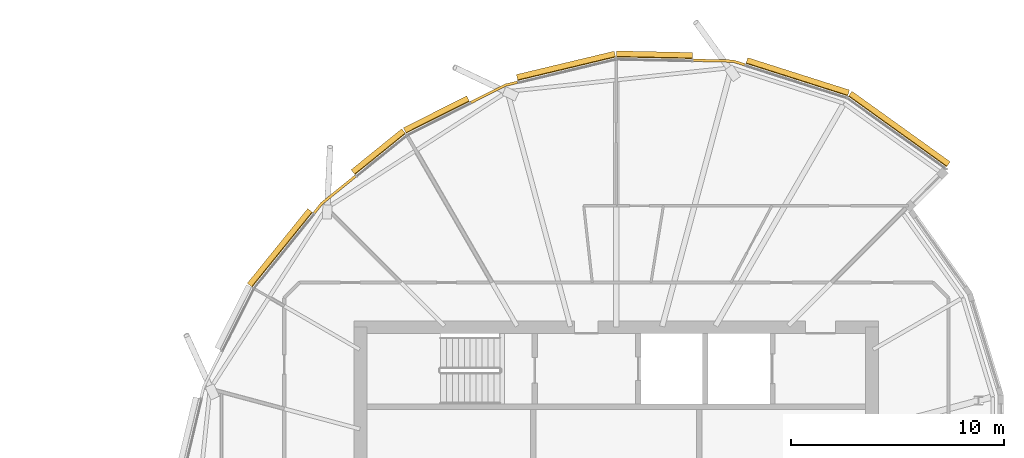
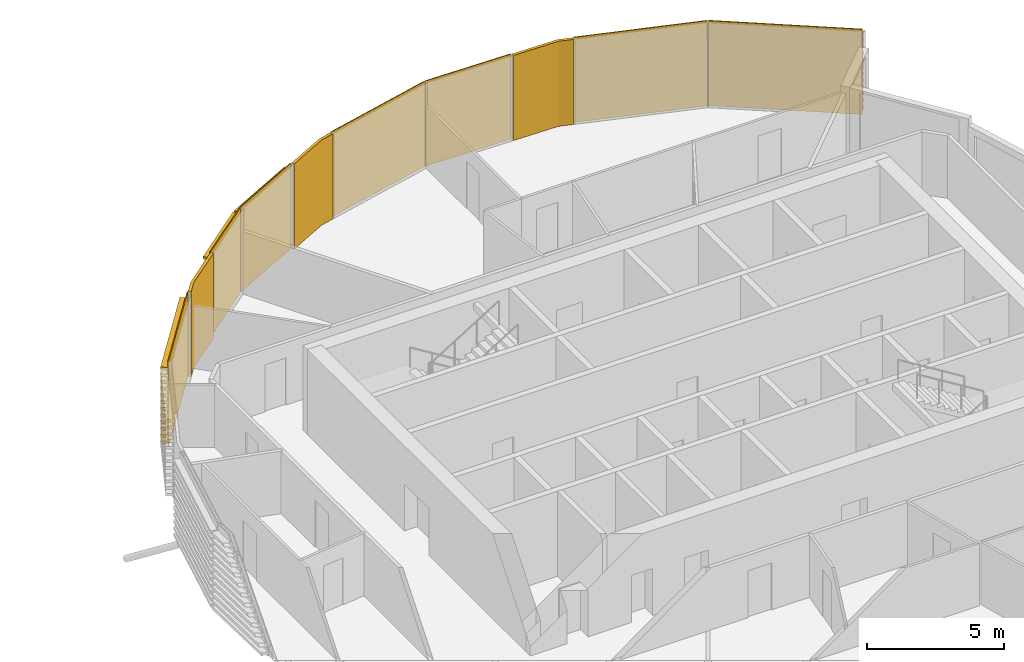
# One storey, part 36 of 36: 10 coverings.
"""IFC4 building model written with IfcOpenShell, lengths in metres."""

from ifc_helpers import new_model, si_unit, direction, frame, origin, place, context, subcontext, project, spatial, polyline, outline, extrude, material, layer, layer_set, material_profile, profile_set, type_object, element, save


model = new_model("IFC4")

# Units and contexts
model_context = context("Model", 3, precision=1e-05, world=origin(), true_north=direction((0.0, 1.0)))
body_context = subcontext(model_context, "Body", "Model", "MODEL_VIEW")
ifc_project = project(units=[si_unit("LENGTHUNIT", "METRE"), si_unit("AREAUNIT", "SQUARE_METRE"), si_unit("VOLUMEUNIT", "CUBIC_METRE"), si_unit("PLANEANGLEUNIT", "RADIAN"), si_unit("MASSUNIT", "GRAM", prefix="KILO")], contexts=[model_context])

# Site, building, storey
site_placement = place(None, origin())
site = spatial("IfcSite", under=ifc_project, at=site_placement, CompositionType="ELEMENT")
building_placement = place(site_placement, origin())
building = spatial("IfcBuilding", under=site, at=building_placement, Name="Rimbun Link Towers", CompositionType="ELEMENT")
storey_placement = place(building_placement, frame((0.0, 0.0, 189.300048828125)))
storey = spatial("IfcBuildingStorey", under=building, at=storey_placement, Name="L46", CompositionType="ELEMENT", Elevation=189.300048828125)

# Coverings
ifc_material_1 = material(Name="Terracotta", Category="masonry")
ifc_layer = layer(ifc_material_1, 0.1201171875)
ifc_layer_set = layer_set([ifc_layer], Name="LINK PIER terracotta cladding 120")
covering_type_1 = type_object("IfcCoveringType", Name="LINK PIER terracotta cladding 120", PredefinedType="CLADDING", material=ifc_layer_set)
covering_1_placement = place(storey_placement, origin())
element("IfcCovering", 1, at=covering_1_placement, inside=storey, type_object=covering_type_1, Name="LINK PIER cladding", PredefinedType="CLADDING", context=body_context, shape_type="SweptSolid", body=[
    extrude(outline(polyline([(35.3515625, 20.458251953125), (37.22119140625, 20.418701171875), (37.764404296875, 20.24609375), (37.80078125, 20.3603515625), (37.240966796875, 20.538330078125), (35.354248046875, 20.578125), (35.3515625, 20.458251953125)])), origin(), (0.0, 0.0, 1.0), 3.800048828125),
])
covering_2_placement = place(storey_placement, origin())
element("IfcCovering", 2, at=covering_2_placement, inside=storey, type_object=covering_type_1, Name="LINK PIER cladding", PredefinedType="CLADDING", context=body_context, shape_type="SweptSolid", body=[
    extrude(outline(polyline([(24.952880859375, 18.480712890625), (26.579345703125, 19.297607421875), (27.133544921875, 19.43017578125), (27.105712890625, 19.546875), (26.537841796875, 19.410888671875), (24.89892578125, 18.587890625), (24.952880859375, 18.480712890625)])), origin(), (0.0, 0.0, 1.0), 3.800048828125),
])
covering_3_placement = place(storey_placement, origin())
element("IfcCovering", 3, at=covering_3_placement, inside=storey, type_object=covering_type_1, Name="LINK PIER cladding", PredefinedType="CLADDING", context=body_context, shape_type="SweptSolid", body=[
    extrude(outline(polyline([(17.62744140625, 13.321044921875), (17.986083984375, 13.763916015625), (19.55615234375, 15.034912109375), (19.480712890625, 15.128173828125), (17.900634765625, 13.849365234375), (17.5341796875, 13.396484375), (17.62744140625, 13.321044921875)])), origin(), (0.0, 0.0, 1.0), 3.800048828125),
])
ifc_material_2 = material(Name="Terracotta", Category="masonry")
ifc_material_profile = material_profile(ifc_material_2, outline(polyline([(0.123046875, 0.0), (0.1630859375, 0.0), (0.1630859375, 0.10009765625), (0.423095703125, 0.10009765625), (0.423095703125, 0.219970703125), (0.1630859375, 0.219970703125), (0.1630859375, 0.39990234375), (0.423095703125, 0.39990234375), (0.423095703125, 0.52001953125), (0.1630859375, 0.52001953125), (0.1630859375, 0.699951171875), (0.423095703125, 0.699951171875), (0.423095703125, 0.820068359375), (0.1630859375, 0.820068359375), (0.1630859375, 1.0), (0.423095703125, 1.0), (0.423095703125, 1.1201171875), (0.1630859375, 1.1201171875), (0.1630859375, 1.300048828125), (0.423095703125, 1.300048828125), (0.423095703125, 1.419921875), (0.1630859375, 1.419921875), (0.1630859375, 1.60009765625), (0.423095703125, 1.60009765625), (0.423095703125, 1.719970703125), (0.1630859375, 1.719970703125), (0.1630859375, 1.89990234375), (0.423095703125, 1.89990234375), (0.423095703125, 2.02001953125), (0.1630859375, 2.02001953125), (0.1630859375, 2.199951171875), (0.423095703125, 2.199951171875), (0.423095703125, 2.320068359375), (0.1630859375, 2.320068359375), (0.1630859375, 2.5), (0.423095703125, 2.5), (0.423095703125, 2.6201171875), (0.1630859375, 2.6201171875), (0.1630859375, 2.800048828125), (0.423095703125, 2.800048828125), (0.423095703125, 2.919921875), (0.1630859375, 2.919921875), (0.1630859375, 3.10009765625), (0.423095703125, 3.10009765625), (0.423095703125, 3.219970703125), (0.1630859375, 3.219970703125), (0.1630859375, 3.39990234375), (0.423095703125, 3.39990234375), (0.423095703125, 3.52001953125), (0.1630859375, 3.52001953125), (0.1630859375, 3.800048828125), (0.123046875, 3.800048828125), (0.123046875, 0.0)])), Name="BAGUETTE 120X300")
ifc_profile_set = profile_set([ifc_material_profile], Name="Terracotta")
covering_type_2 = type_object("IfcCoveringType", Name="TERRACOTTA BAGUETTE 120X300 H3800", PredefinedType="CLADDING", material=ifc_profile_set)
covering_4_placement = place(storey_placement, frame((42.558837890625, 18.721435546875, 0.0), z_axis=(0.812445583502, -0.583037026138, 0.0), x_axis=(0.583037026138, 0.812445583502, 0.0)))
element("IfcCovering", 4, at=covering_4_placement, inside=storey, type_object=covering_type_2, Name="TERRACOTTA BAGUETTE", PredefinedType="CLADDING", context=body_context, shape_type="SweptSolid", body=[
    extrude(outline(polyline([(0.123046875, 0.0), (0.1630859375, 0.0), (0.1630859375, 0.10009765625), (0.423095703125, 0.10009765625), (0.423095703125, 0.219970703125), (0.1630859375, 0.219970703125), (0.1630859375, 0.39990234375), (0.423095703125, 0.39990234375), (0.423095703125, 0.52001953125), (0.1630859375, 0.52001953125), (0.1630859375, 0.699951171875), (0.423095703125, 0.699951171875), (0.423095703125, 0.820068359375), (0.1630859375, 0.820068359375), (0.1630859375, 1.0), (0.423095703125, 1.0), (0.423095703125, 1.1201171875), (0.1630859375, 1.1201171875), (0.1630859375, 1.300048828125), (0.423095703125, 1.300048828125), (0.423095703125, 1.419921875), (0.1630859375, 1.419921875), (0.1630859375, 1.60009765625), (0.423095703125, 1.60009765625), (0.423095703125, 1.719970703125), (0.1630859375, 1.719970703125), (0.1630859375, 1.89990234375), (0.423095703125, 1.89990234375), (0.423095703125, 2.02001953125), (0.1630859375, 2.02001953125), (0.1630859375, 2.199951171875), (0.423095703125, 2.199951171875), (0.423095703125, 2.320068359375), (0.1630859375, 2.320068359375), (0.1630859375, 2.5), (0.423095703125, 2.5), (0.423095703125, 2.6201171875), (0.1630859375, 2.6201171875), (0.1630859375, 2.800048828125), (0.423095703125, 2.800048828125), (0.423095703125, 2.919921875), (0.1630859375, 2.919921875), (0.1630859375, 3.10009765625), (0.423095703125, 3.10009765625), (0.423095703125, 3.219970703125), (0.1630859375, 3.219970703125), (0.1630859375, 3.39990234375), (0.423095703125, 3.39990234375), (0.423095703125, 3.52001953125), (0.1630859375, 3.52001953125), (0.1630859375, 3.800048828125), (0.123046875, 3.800048828125), (0.123046875, 0.0)])), origin(), (0.0, 0.0, 1.0), 5.670166015625),
])
covering_5_placement = place(storey_placement, frame((37.79296875, 20.237060546875, 0.0), z_axis=(0.952971289765, -0.303060589461, 0.0), x_axis=(0.303060589461, 0.952971289765, 0.0)))
element("IfcCovering", 5, at=covering_5_placement, inside=storey, type_object=covering_type_2, Name="TERRACOTTA BAGUETTE", PredefinedType="CLADDING", context=body_context, shape_type="SweptSolid", body=[
    extrude(outline(polyline([(0.123046875, 0.0), (0.1630859375, 0.0), (0.1630859375, 0.10009765625), (0.423095703125, 0.10009765625), (0.423095703125, 0.219970703125), (0.1630859375, 0.219970703125), (0.1630859375, 0.39990234375), (0.423095703125, 0.39990234375), (0.423095703125, 0.52001953125), (0.1630859375, 0.52001953125), (0.1630859375, 0.699951171875), (0.423095703125, 0.699951171875), (0.423095703125, 0.820068359375), (0.1630859375, 0.820068359375), (0.1630859375, 1.0), (0.423095703125, 1.0), (0.423095703125, 1.1201171875), (0.1630859375, 1.1201171875), (0.1630859375, 1.300048828125), (0.423095703125, 1.300048828125), (0.423095703125, 1.419921875), (0.1630859375, 1.419921875), (0.1630859375, 1.60009765625), (0.423095703125, 1.60009765625), (0.423095703125, 1.719970703125), (0.1630859375, 1.719970703125), (0.1630859375, 1.89990234375), (0.423095703125, 1.89990234375), (0.423095703125, 2.02001953125), (0.1630859375, 2.02001953125), (0.1630859375, 2.199951171875), (0.423095703125, 2.199951171875), (0.423095703125, 2.320068359375), (0.1630859375, 2.320068359375), (0.1630859375, 2.5), (0.423095703125, 2.5), (0.423095703125, 2.6201171875), (0.1630859375, 2.6201171875), (0.1630859375, 2.800048828125), (0.423095703125, 2.800048828125), (0.423095703125, 2.919921875), (0.1630859375, 2.919921875), (0.1630859375, 3.10009765625), (0.423095703125, 3.10009765625), (0.423095703125, 3.219970703125), (0.1630859375, 3.219970703125), (0.1630859375, 3.39990234375), (0.423095703125, 3.39990234375), (0.423095703125, 3.52001953125), (0.1630859375, 3.52001953125), (0.1630859375, 3.800048828125), (0.123046875, 3.800048828125), (0.123046875, 0.0)])), origin(), (0.0, 0.0, 1.0), 5.0009765625),
])
covering_6_placement = place(storey_placement, frame((31.75, 20.5341796875, 0.0), z_axis=(0.999776996135, -0.021117717671, 0.0), x_axis=(0.021117717671, 0.999776996135, 0.0)))
element("IfcCovering", 6, at=covering_6_placement, inside=storey, type_object=covering_type_2, Name="TERRACOTTA BAGUETTE", PredefinedType="CLADDING", context=body_context, shape_type="SweptSolid", body=[
    extrude(outline(polyline([(0.123046875, 0.0), (0.1630859375, 0.0), (0.1630859375, 0.10009765625), (0.423095703125, 0.10009765625), (0.423095703125, 0.219970703125), (0.1630859375, 0.219970703125), (0.1630859375, 0.39990234375), (0.423095703125, 0.39990234375), (0.423095703125, 0.52001953125), (0.1630859375, 0.52001953125), (0.1630859375, 0.699951171875), (0.423095703125, 0.699951171875), (0.423095703125, 0.820068359375), (0.1630859375, 0.820068359375), (0.1630859375, 1.0), (0.423095703125, 1.0), (0.423095703125, 1.1201171875), (0.1630859375, 1.1201171875), (0.1630859375, 1.300048828125), (0.423095703125, 1.300048828125), (0.423095703125, 1.419921875), (0.1630859375, 1.419921875), (0.1630859375, 1.60009765625), (0.423095703125, 1.60009765625), (0.423095703125, 1.719970703125), (0.1630859375, 1.719970703125), (0.1630859375, 1.89990234375), (0.423095703125, 1.89990234375), (0.423095703125, 2.02001953125), (0.1630859375, 2.02001953125), (0.1630859375, 2.199951171875), (0.423095703125, 2.199951171875), (0.423095703125, 2.320068359375), (0.1630859375, 2.320068359375), (0.1630859375, 2.5), (0.423095703125, 2.5), (0.423095703125, 2.6201171875), (0.1630859375, 2.6201171875), (0.1630859375, 2.800048828125), (0.423095703125, 2.800048828125), (0.423095703125, 2.919921875), (0.1630859375, 2.919921875), (0.1630859375, 3.10009765625), (0.423095703125, 3.10009765625), (0.423095703125, 3.219970703125), (0.1630859375, 3.219970703125), (0.1630859375, 3.39990234375), (0.423095703125, 3.39990234375), (0.423095703125, 3.52001953125), (0.1630859375, 3.52001953125), (0.1630859375, 3.800048828125), (0.123046875, 3.800048828125), (0.123046875, 0.0)])), origin(), (0.0, 0.0, 1.0), 3.572265625),
])
covering_7_placement = place(storey_placement, frame((27.162841796875, 19.43701171875, 0.0), z_axis=(0.972567436525, 0.232621111275, 0.0), x_axis=(-0.232621111275, 0.972567436525, 0.0)))
element("IfcCovering", 7, at=covering_7_placement, inside=storey, type_object=covering_type_2, Name="TERRACOTTA BAGUETTE", PredefinedType="CLADDING", context=body_context, shape_type="SweptSolid", body=[
    extrude(outline(polyline([(0.123046875, 0.0), (0.1630859375, 0.0), (0.1630859375, 0.10009765625), (0.423095703125, 0.10009765625), (0.423095703125, 0.219970703125), (0.1630859375, 0.219970703125), (0.1630859375, 0.39990234375), (0.423095703125, 0.39990234375), (0.423095703125, 0.52001953125), (0.1630859375, 0.52001953125), (0.1630859375, 0.699951171875), (0.423095703125, 0.699951171875), (0.423095703125, 0.820068359375), (0.1630859375, 0.820068359375), (0.1630859375, 1.0), (0.423095703125, 1.0), (0.423095703125, 1.1201171875), (0.1630859375, 1.1201171875), (0.1630859375, 1.300048828125), (0.423095703125, 1.300048828125), (0.423095703125, 1.419921875), (0.1630859375, 1.419921875), (0.1630859375, 1.60009765625), (0.423095703125, 1.60009765625), (0.423095703125, 1.719970703125), (0.1630859375, 1.719970703125), (0.1630859375, 1.89990234375), (0.423095703125, 1.89990234375), (0.423095703125, 2.02001953125), (0.1630859375, 2.02001953125), (0.1630859375, 2.199951171875), (0.423095703125, 2.199951171875), (0.423095703125, 2.320068359375), (0.1630859375, 2.320068359375), (0.1630859375, 2.5), (0.423095703125, 2.5), (0.423095703125, 2.6201171875), (0.1630859375, 2.6201171875), (0.1630859375, 2.800048828125), (0.423095703125, 2.800048828125), (0.423095703125, 2.919921875), (0.1630859375, 2.919921875), (0.1630859375, 3.10009765625), (0.423095703125, 3.10009765625), (0.423095703125, 3.219970703125), (0.1630859375, 3.219970703125), (0.1630859375, 3.39990234375), (0.423095703125, 3.39990234375), (0.423095703125, 3.52001953125), (0.1630859375, 3.52001953125), (0.1630859375, 3.800048828125), (0.123046875, 3.800048828125), (0.123046875, 0.0)])), origin(), (0.0, 0.0, 1.0), 4.716552734375),
])
covering_8_placement = place(storey_placement, frame((21.95068359375, 16.972900390625, 0.0), z_axis=(0.89361915461, 0.448826031457, 0.0), x_axis=(-0.448826031457, 0.89361915461, 0.0)))
element("IfcCovering", 8, at=covering_8_placement, inside=storey, type_object=covering_type_2, Name="TERRACOTTA BAGUETTE", PredefinedType="CLADDING", context=body_context, shape_type="SweptSolid", body=[
    extrude(outline(polyline([(0.123046875, 0.0), (0.1630859375, 0.0), (0.1630859375, 0.10009765625), (0.423095703125, 0.10009765625), (0.423095703125, 0.219970703125), (0.1630859375, 0.219970703125), (0.1630859375, 0.39990234375), (0.423095703125, 0.39990234375), (0.423095703125, 0.52001953125), (0.1630859375, 0.52001953125), (0.1630859375, 0.699951171875), (0.423095703125, 0.699951171875), (0.423095703125, 0.820068359375), (0.1630859375, 0.820068359375), (0.1630859375, 1.0), (0.423095703125, 1.0), (0.423095703125, 1.1201171875), (0.1630859375, 1.1201171875), (0.1630859375, 1.300048828125), (0.423095703125, 1.300048828125), (0.423095703125, 1.419921875), (0.1630859375, 1.419921875), (0.1630859375, 1.60009765625), (0.423095703125, 1.60009765625), (0.423095703125, 1.719970703125), (0.1630859375, 1.719970703125), (0.1630859375, 1.89990234375), (0.423095703125, 1.89990234375), (0.423095703125, 2.02001953125), (0.1630859375, 2.02001953125), (0.1630859375, 2.199951171875), (0.423095703125, 2.199951171875), (0.423095703125, 2.320068359375), (0.1630859375, 2.320068359375), (0.1630859375, 2.5), (0.423095703125, 2.5), (0.423095703125, 2.6201171875), (0.1630859375, 2.6201171875), (0.1630859375, 2.800048828125), (0.423095703125, 2.800048828125), (0.423095703125, 2.919921875), (0.1630859375, 2.919921875), (0.1630859375, 3.10009765625), (0.423095703125, 3.10009765625), (0.423095703125, 3.219970703125), (0.1630859375, 3.219970703125), (0.1630859375, 3.39990234375), (0.423095703125, 3.39990234375), (0.423095703125, 3.52001953125), (0.1630859375, 3.52001953125), (0.1630859375, 3.800048828125), (0.123046875, 3.800048828125), (0.123046875, 0.0)])), origin(), (0.0, 0.0, 1.0), 3.32958984375),
])
covering_9_placement = place(storey_placement, frame((19.579345703125, 15.0537109375, 0.0), z_axis=(0.777319412597, 0.629106136356, 0.0), x_axis=(-0.629106136356, 0.777319412597, 0.0)))
element("IfcCovering", 9, at=covering_9_placement, inside=storey, type_object=covering_type_2, Name="TERRACOTTA BAGUETTE", PredefinedType="CLADDING", context=body_context, shape_type="SweptSolid", body=[
    extrude(outline(polyline([(0.123046875, 0.0), (0.1630859375, 0.0), (0.1630859375, 0.10009765625), (0.423095703125, 0.10009765625), (0.423095703125, 0.219970703125), (0.1630859375, 0.219970703125), (0.1630859375, 0.39990234375), (0.423095703125, 0.39990234375), (0.423095703125, 0.52001953125), (0.1630859375, 0.52001953125), (0.1630859375, 0.699951171875), (0.423095703125, 0.699951171875), (0.423095703125, 0.820068359375), (0.1630859375, 0.820068359375), (0.1630859375, 1.0), (0.423095703125, 1.0), (0.423095703125, 1.1201171875), (0.1630859375, 1.1201171875), (0.1630859375, 1.300048828125), (0.423095703125, 1.300048828125), (0.423095703125, 1.419921875), (0.1630859375, 1.419921875), (0.1630859375, 1.60009765625), (0.423095703125, 1.60009765625), (0.423095703125, 1.719970703125), (0.1630859375, 1.719970703125), (0.1630859375, 1.89990234375), (0.423095703125, 1.89990234375), (0.423095703125, 2.02001953125), (0.1630859375, 2.02001953125), (0.1630859375, 2.199951171875), (0.423095703125, 2.199951171875), (0.423095703125, 2.320068359375), (0.1630859375, 2.320068359375), (0.1630859375, 2.5), (0.423095703125, 2.5), (0.423095703125, 2.6201171875), (0.1630859375, 2.6201171875), (0.1630859375, 2.800048828125), (0.423095703125, 2.800048828125), (0.423095703125, 2.919921875), (0.1630859375, 2.919921875), (0.1630859375, 3.10009765625), (0.423095703125, 3.10009765625), (0.423095703125, 3.219970703125), (0.1630859375, 3.219970703125), (0.1630859375, 3.39990234375), (0.423095703125, 3.39990234375), (0.423095703125, 3.52001953125), (0.1630859375, 3.52001953125), (0.1630859375, 3.800048828125), (0.123046875, 3.800048828125), (0.123046875, 0.0)])), origin(), (0.0, 0.0, 1.0), 3.05078125),
])
covering_10_placement = place(storey_placement, frame((14.777099609375, 9.79931640625, 0.0), z_axis=(0.62911083384, 0.777315610769, 0.0), x_axis=(-0.777315610769, 0.62911083384, 0.0)))
element("IfcCovering", 10, at=covering_10_placement, inside=storey, type_object=covering_type_2, Name="TERRACOTTA BAGUETTE", PredefinedType="CLADDING", context=body_context, shape_type="SweptSolid", body=[
    extrude(outline(polyline([(0.123046875, 0.0), (0.1630859375, 0.0), (0.1630859375, 0.10009765625), (0.423095703125, 0.10009765625), (0.423095703125, 0.219970703125), (0.1630859375, 0.219970703125), (0.1630859375, 0.39990234375), (0.423095703125, 0.39990234375), (0.423095703125, 0.52001953125), (0.1630859375, 0.52001953125), (0.1630859375, 0.699951171875), (0.423095703125, 0.699951171875), (0.423095703125, 0.820068359375), (0.1630859375, 0.820068359375), (0.1630859375, 1.0), (0.423095703125, 1.0), (0.423095703125, 1.1201171875), (0.1630859375, 1.1201171875), (0.1630859375, 1.300048828125), (0.423095703125, 1.300048828125), (0.423095703125, 1.419921875), (0.1630859375, 1.419921875), (0.1630859375, 1.60009765625), (0.423095703125, 1.60009765625), (0.423095703125, 1.719970703125), (0.1630859375, 1.719970703125), (0.1630859375, 1.89990234375), (0.423095703125, 1.89990234375), (0.423095703125, 2.02001953125), (0.1630859375, 2.02001953125), (0.1630859375, 2.199951171875), (0.423095703125, 2.199951171875), (0.423095703125, 2.320068359375), (0.1630859375, 2.320068359375), (0.1630859375, 2.5), (0.423095703125, 2.5), (0.423095703125, 2.6201171875), (0.1630859375, 2.6201171875), (0.1630859375, 2.800048828125), (0.423095703125, 2.800048828125), (0.423095703125, 2.919921875), (0.1630859375, 2.919921875), (0.1630859375, 3.10009765625), (0.423095703125, 3.10009765625), (0.423095703125, 3.219970703125), (0.1630859375, 3.219970703125), (0.1630859375, 3.39990234375), (0.423095703125, 3.39990234375), (0.423095703125, 3.52001953125), (0.1630859375, 3.52001953125), (0.1630859375, 3.800048828125), (0.123046875, 3.800048828125), (0.123046875, 0.0)])), origin(), (0.0, 0.0, 1.0), 4.50048828125),
])

save(model, "model.ifc")
